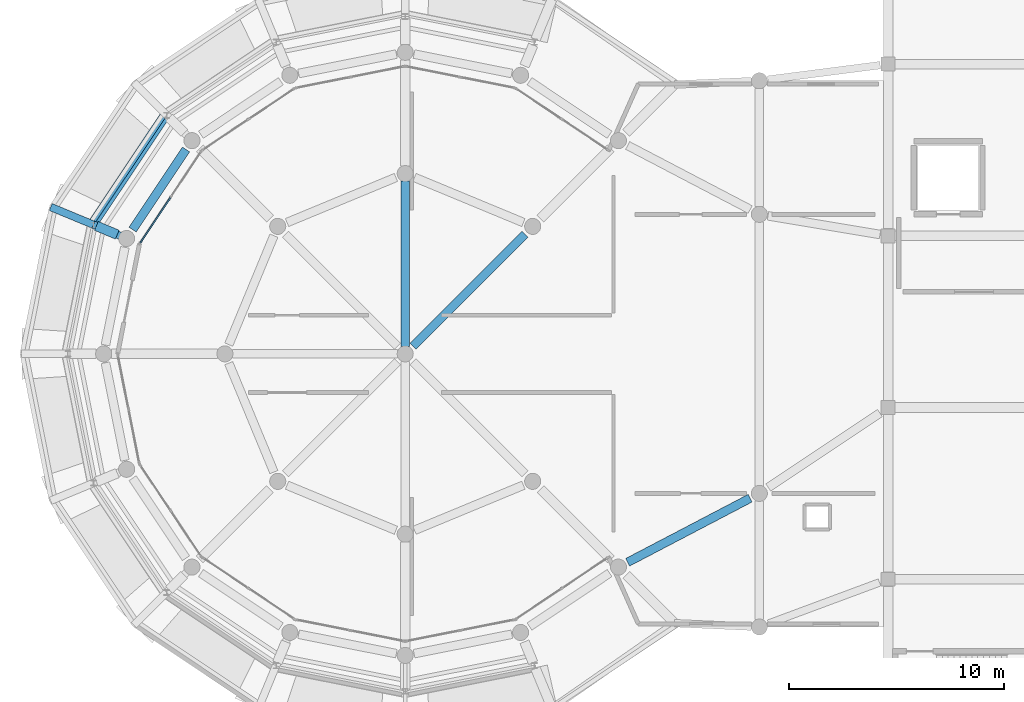
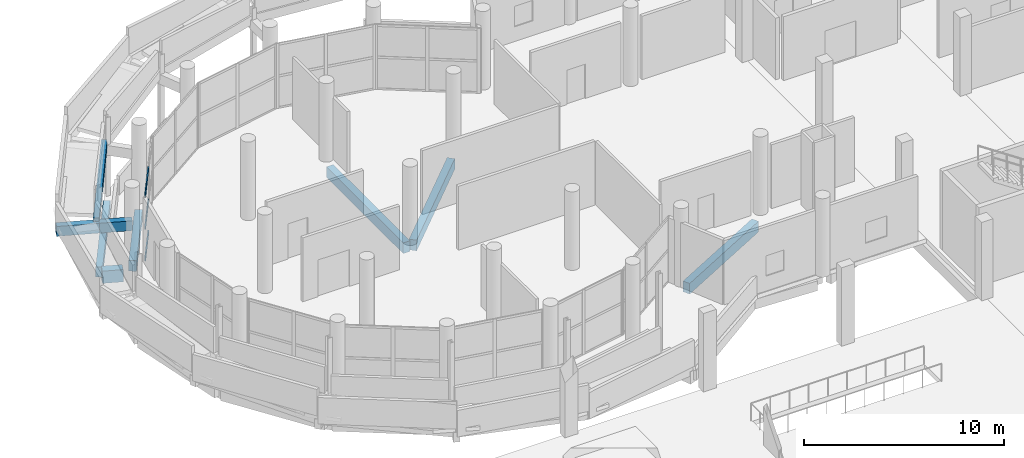
# One storey, part 26 of 106: 9 beams, 3 members, 1 element without a shape of its own.
"""IFC4 building model written with IfcOpenShell, lengths in metres."""

from ifc_helpers import new_model, si_unit, direction, frame, origin, origin_2d, place, context, subcontext, project, spatial, rectangle, extrude, material, layer, layer_set, material_profile, profile_set, type_object, element, aggregate, save


model = new_model("IFC4")

# Units and contexts
model_context = context("Model", 3, precision=1e-05, world=origin(), true_north=direction((0.0, 1.0)))
body_context = subcontext(model_context, "Body", "Model", "MODEL_VIEW")
ifc_project = project(units=[si_unit("LENGTHUNIT", "METRE"), si_unit("AREAUNIT", "SQUARE_METRE"), si_unit("VOLUMEUNIT", "CUBIC_METRE"), si_unit("PLANEANGLEUNIT", "RADIAN"), si_unit("MASSUNIT", "GRAM", prefix="KILO")], contexts=[model_context])

# Site, building, storey
site_placement = place(None, origin())
site = spatial("IfcSite", under=ifc_project, at=site_placement, CompositionType="ELEMENT")
building_placement = place(site_placement, origin())
building = spatial("IfcBuilding", under=site, at=building_placement, Name="Jelvoka-Kovrelna Polytechnic", CompositionType="ELEMENT")
storey_placement = place(building_placement, frame((0.0, 0.0, 4.800048828125)))
storey = spatial("IfcBuildingStorey", under=building, at=storey_placement, Name="L02", CompositionType="ELEMENT", Elevation=4.800048828125)

# Beams
ifc_material_1 = material(Name="Concrete C35/45", Category="concrete")
ifc_material_profile_1 = material_profile(ifc_material_1, rectangle(XDim=0.35009765625, YDim=0.60009765625, at=origin_2d()), Name="RC 350x600")
ifc_profile_set_1 = profile_set([ifc_material_profile_1], Name="Concrete C35/45")
beam_type_1 = type_object("IfcBeamType", Name="Beam_RC_350x600", PredefinedType="BEAM", material=ifc_profile_set_1)
beam_1_placement = place(storey_placement, frame((12.51953125, 47.876708984375, 2.35498046875), z_axis=(-0.923870731357, 0.38270467954, 0.0), x_axis=(-0.38270467954, -0.923870731357, 0.0)))
element("IfcBeam", 1, at=beam_1_placement, inside=storey, type_object=beam_type_1, Name="L02 spiral ramp inner tie beam 2.5", PredefinedType="BEAM", context=body_context, shape_type="SweptSolid", body=[
    extrude(rectangle(XDim=0.35009765625, YDim=0.60009765625, at=origin_2d()), origin(), (0.0, 0.0, 1.0), 1.670166015625),
])
beam_2_placement = place(storey_placement, frame((10.9765625, 48.515869140625, 2.35498046875), z_axis=(-0.923910766313, 0.382608018592, 0.0), x_axis=(-0.382608018592, -0.923910766313, 0.0)))
element("IfcBeam", 2, at=beam_2_placement, inside=storey, type_object=beam_type_1, Name="L02 spiral ramp cantilever bracket 2.5", PredefinedType="BEAM", context=body_context, shape_type="SweptSolid", body=[
    extrude(rectangle(XDim=0.35009765625, YDim=0.60009765625, at=origin_2d()), origin(), (0.0, 0.0, 1.0), 2.159912109375),
])
ifc_material_2 = material(Name="Concrete C40/50", Category="concrete")
ifc_material_profile_2 = material_profile(ifc_material_2, rectangle(XDim=0.39990234375, YDim=0.64990234375, at=origin_2d()), Name="RC 400x650")
ifc_profile_set_2 = profile_set([ifc_material_profile_2], Name="Concrete C40/50")
beam_type_2 = type_object("IfcBeamType", Name="Beam_RC_400x650", PredefinedType="BEAM", material=ifc_profile_set_2)
beam_3_placement = place(storey_placement, frame((25.86083984375, 42.86083984375, -0.574951171875), z_axis=(0.707106781187, 0.707106781187, 0.0), x_axis=(-0.707106781187, 0.707106781187, 0.0)))
element("IfcBeam", 3, at=beam_3_placement, inside=storey, type_object=beam_type_2, Name="L02 beam 2396", PredefinedType="BEAM", context=body_context, shape_type="SweptSolid", body=[
    extrude(rectangle(XDim=0.39990234375, YDim=0.64990234375, at=origin_2d()), origin(), (0.0, 0.0, 1.0), 7.37939453125),
])
beam_4_placement = place(storey_placement, frame((25.5, 42.85498046875, -0.574951171875), z_axis=(0.0, 1.0, 0.0), x_axis=(-1.0, 0.0, 0.0)))
element("IfcBeam", 4, at=beam_4_placement, inside=storey, type_object=beam_type_2, Name="L02 beam 2398", PredefinedType="BEAM", context=body_context, shape_type="SweptSolid", body=[
    extrude(rectangle(XDim=0.39990234375, YDim=0.64990234375, at=origin_2d()), origin(), (0.0, 0.0, 1.0), 7.68994140625),
])
beam_5_placement = place(storey_placement, frame((15.287109375, 52.01904296875, -0.574951171875), z_axis=(-0.55552960698, -0.831496756319, 0.0), x_axis=(0.831496756319, -0.55552960698, 0.0)))
element("IfcBeam", 5, at=beam_5_placement, inside=storey, type_object=beam_type_2, Name="L02 beam 2420", PredefinedType="BEAM", context=body_context, shape_type="SweptSolid", body=[
    extrude(rectangle(XDim=0.39990234375, YDim=0.64990234375, at=origin_2d()), origin(), (0.0, 0.0, 1.0), 4.481689453125),
])
beam_6_placement = place(storey_placement, frame((35.865478515625, 32.79052734375, -0.574951171875), z_axis=(0.886061545801, 0.463567618642, 0.0), x_axis=(-0.463567618642, 0.886061545801, 0.0)))
element("IfcBeam", 6, at=beam_6_placement, inside=storey, type_object=beam_type_2, Name="L02 beam 2459", PredefinedType="BEAM", context=body_context, shape_type="SweptSolid", body=[
    extrude(rectangle(XDim=0.39990234375, YDim=0.64990234375, at=origin_2d()), origin(), (0.0, 0.0, 1.0), 6.437255859375),
])
ifc_material_3 = material(Name="Concrete C40/50", Category="concrete")
ifc_material_profile_3 = material_profile(ifc_material_3, rectangle(XDim=0.449951171875, YDim=0.75, at=origin_2d()), Name="RC 450x750")
ifc_profile_set_3 = profile_set([ifc_material_profile_3], Name="Concrete C40/50")
beam_type_3 = type_object("IfcBeamType", Name="Beam_RC_450x750", PredefinedType="BEAM", material=ifc_profile_set_3)
beam_7_placement = place(storey_placement, frame((12.085205078125, 48.056396484375, -0.625), z_axis=(-0.923822033971, 0.382822216634, 0.0), x_axis=(-0.382822216634, -0.923822033971, 0.0)))
element("IfcBeam", 7, at=beam_7_placement, inside=storey, type_object=beam_type_3, Name="L02 beam 2434", PredefinedType="BEAM", context=body_context, shape_type="SweptSolid", body=[
    extrude(rectangle(XDim=0.449951171875, YDim=0.75, at=origin_2d()), origin(), (0.0, 0.0, 1.0), 1.05419921875),
])
ifc_material_4 = material(Name="Concrete C40/50", Category="concrete")
ifc_material_profile_4 = material_profile(ifc_material_4, rectangle(XDim=0.300048828125, YDim=0.550048828125, at=origin_2d()), Name="RC 300x550")
ifc_profile_set_4 = profile_set([ifc_material_profile_4], Name="Concrete C40/50")
beam_type_4 = type_object("IfcBeamType", Name="Spandrel_RC_300x550", PredefinedType="SPANDREL", material=ifc_profile_set_4)
beam_8_placement = place(storey_placement, frame((10.847412109375, 48.5693359375, 2.60498046875), z_axis=(0.553910202908, 0.828977242315, 0.077331874657), x_axis=(-0.831467148194, 0.555573920801, 0.0)))
element("IfcBeam", 8, at=beam_8_placement, inside=storey, type_object=beam_type_4, Name="L02 spiral ramp curved inner stringer 2.5", PredefinedType="SPANDREL", context=body_context, shape_type="SweptSolid", body=[
    extrude(rectangle(XDim=0.300048828125, YDim=0.550048828125, at=origin_2d()), origin(), (0.0, 0.0, 1.0), 6.206787109375),
])
ifc_material_5 = material(Name="Concrete C40/50", Category="concrete")
ifc_material_profile_5 = material_profile(ifc_material_5, rectangle(XDim=0.35009765625, YDim=0.60009765625, at=origin_2d()), Name="RC 350x600")
ifc_profile_set_5 = profile_set([ifc_material_profile_5], Name="Concrete C40/50")
beam_type_5 = type_object("IfcBeamType", Name="Spandrel_RC_350x600", PredefinedType="SPANDREL", material=ifc_profile_set_5)
beam_9_placement = place(storey_placement, frame((14.297607421875, 53.48583984375, -0.550048828125), z_axis=(-0.555561254279, -0.831475611635, 0.0), x_axis=(0.831475611635, -0.555561254279, 0.0)))
element("IfcBeam", 9, at=beam_9_placement, inside=storey, type_object=beam_type_5, Name="L02 beam 2445", PredefinedType="SPANDREL", context=body_context, shape_type="SweptSolid", body=[
    extrude(rectangle(XDim=0.35009765625, YDim=0.60009765625, at=origin_2d()), origin(), (0.0, 0.0, 1.0), 5.8212890625),
])

# Curtain wall, members
ifc_material_6 = material(Name="Anodised aluminium 6063-T6", Category="aluminium")
ifc_layer = layer(ifc_material_6, 0.179931640625)
ifc_layer_set = layer_set([ifc_layer], Name="Anodised aluminium 6063-T6")
curtain_wall_type = type_object("IfcCurtainWallType", Name="CW_Pavilion", PredefinedType="NOTDEFINED", material=ifc_layer_set)
curtain_wall_placement = place(storey_placement, origin())
curtain_wall = element("IfcCurtainWall", 10, at=curtain_wall_placement, inside=storey, type_object=curtain_wall_type, Name="L02 glazed curtain wall 226", PredefinedType="NOTDEFINED")
ifc_material_7 = material(Name="Anodised aluminium 6063-T6", Category="aluminium")
ifc_material_profile_6 = material_profile(ifc_material_7, rectangle(XDim=0.06494140625, YDim=0.135009765625, at=origin_2d()), Name="ALU 65x135")
ifc_profile_set_6 = profile_set([ifc_material_profile_6], Name="Anodised aluminium 6063-T6")
member_type = type_object("IfcMemberType", Name="Transom_T-05", PredefinedType="USERDEFINED", material=ifc_profile_set_6)
member_1_placement = place(storey_placement, frame((13.156005859375, 47.68212890625, 0.032470703125), z_axis=(0.555640036612, 0.831422966795, 0.0), x_axis=(-0.831422966795, 0.555640036612, 0.0)))
member_1 = element("IfcMember", 11, at=member_1_placement, type_object=member_type, Name="CW-05 transom 1.1", ObjectType="TRANSOM", PredefinedType="USERDEFINED", context=body_context, shape_type="SweptSolid", body=[
    extrude(rectangle(XDim=0.06494140625, YDim=0.135009765625, at=origin_2d()), origin(), (0.0, 0.0, 1.0), 2.516845703125),
])
member_2_placement = place(storey_placement, frame((13.156005859375, 47.68212890625, 1.974853515625), z_axis=(0.555640036612, 0.831422966795, 0.0), x_axis=(-0.831422966795, 0.555640036612, 0.0)))
member_2 = element("IfcMember", 12, at=member_2_placement, type_object=member_type, Name="CW-05 transom 1.2", ObjectType="TRANSOM", PredefinedType="USERDEFINED", context=body_context, shape_type="SweptSolid", body=[
    extrude(rectangle(XDim=0.06494140625, YDim=0.135009765625, at=origin_2d()), origin(), (0.0, 0.0, 1.0), 2.516845703125),
])
member_3_placement = place(storey_placement, frame((13.156005859375, 47.68212890625, 3.91748046875), z_axis=(0.555640036612, 0.831422966795, 0.0), x_axis=(-0.831422966795, 0.555640036612, 0.0)))
member_3 = element("IfcMember", 13, at=member_3_placement, type_object=member_type, Name="CW-05 transom 1.3", ObjectType="TRANSOM", PredefinedType="USERDEFINED", context=body_context, shape_type="SweptSolid", body=[
    extrude(rectangle(XDim=0.06494140625, YDim=0.135009765625, at=origin_2d()), origin(), (0.0, 0.0, 1.0), 2.516845703125),
])
aggregate(curtain_wall, [member_1, member_2, member_3])

save(model, "model.ifc")
